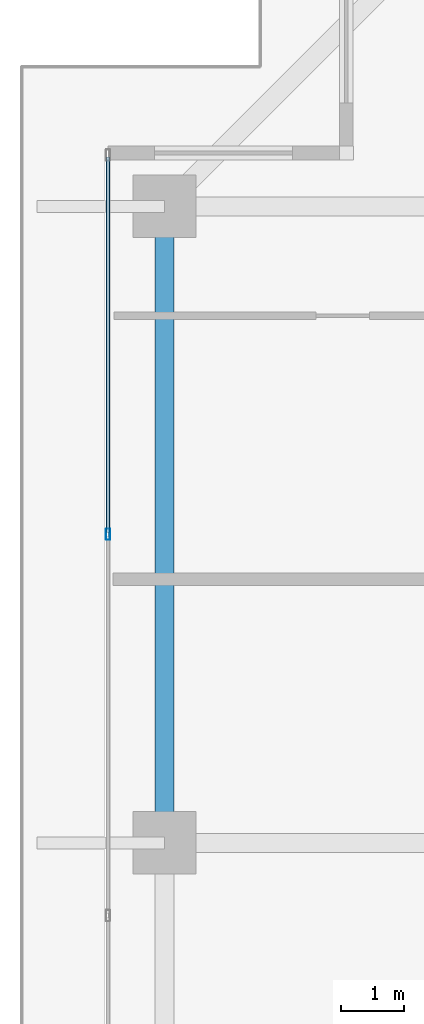
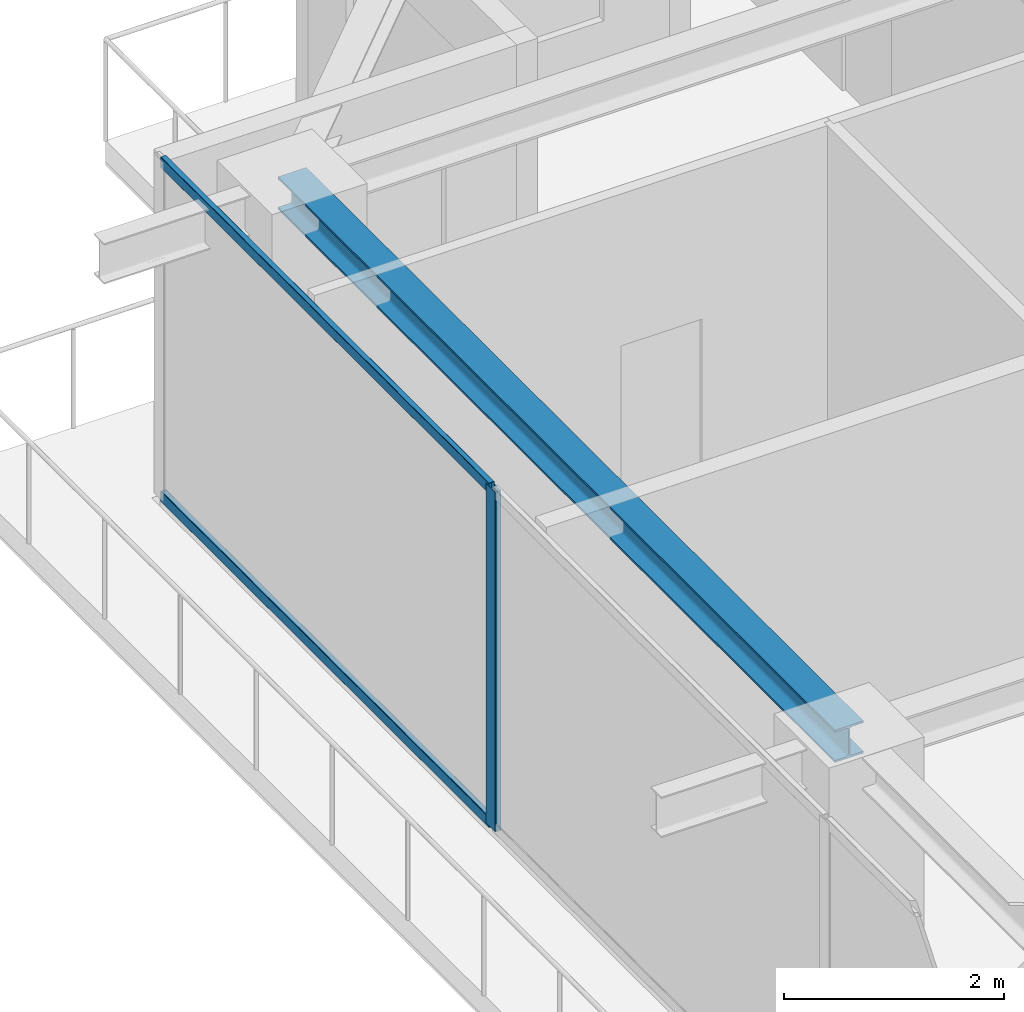
# One storey, part 19 of 42: 3 members, 1 beam, 1 element without a shape of its own.
"""IFC4 building model written with IfcOpenShell, lengths in metres."""

from ifc_helpers import new_model, si_unit, direction, frame, origin, origin_2d, place, context, subcontext, project, spatial, hollow_rectangle, i_section, extrude, source, transform, mapped, material, layer, layer_set, material_profile, profile_set, type_object, element, aggregate, save


model = new_model("IFC4")

# Units and contexts
model_context = context("Model", 3, precision=1e-05, world=origin(), true_north=direction((0.0, 1.0)))
body_context = subcontext(model_context, "Body", "Model", "MODEL_VIEW")
ifc_project = project(units=[si_unit("LENGTHUNIT", "METRE"), si_unit("AREAUNIT", "SQUARE_METRE"), si_unit("VOLUMEUNIT", "CUBIC_METRE"), si_unit("PLANEANGLEUNIT", "RADIAN"), si_unit("MASSUNIT", "GRAM", prefix="KILO")], contexts=[model_context])

# Site, building, storey
site_placement = place(None, origin())
site = spatial("IfcSite", under=ifc_project, at=site_placement, CompositionType="ELEMENT")
building_placement = place(site_placement, origin())
building = spatial("IfcBuilding", under=site, at=building_placement, Name="Serunith Strait Residences", CompositionType="ELEMENT")
storey_placement = place(building_placement, frame((0.0, 0.0, 325.85009765625)))
storey = spatial("IfcBuildingStorey", under=building, at=storey_placement, Name="L81", CompositionType="ELEMENT", Elevation=325.85009765625)

# Beam
ifc_material_1 = material(Name="Steel S355J2", Category="steel")
ifc_material_profile_1 = material_profile(ifc_material_1, i_section(OverallWidth=0.300048828125, OverallDepth=0.360107421875, WebThickness=0.012451171875, FlangeThickness=0.0224609375, FilletRadius=0.027099609375, at=origin_2d()), Name="HEB 360")
ifc_profile_set_1 = profile_set([ifc_material_profile_1], Name="Steel S355J2")
beam_type = type_object("IfcBeamType", Name="BM-HEB360", PredefinedType="BEAM", material=ifc_profile_set_1)
shared_shape_1 = source(origin(), body_context, "Body", "SweptSolid", [
    extrude(i_section(OverallWidth=0.300048828125, OverallDepth=0.360107421875, WebThickness=0.012451171875, FlangeThickness=0.0224609375, FilletRadius=0.027099609375, at=origin_2d()), origin(), (0.0, 0.0, 1.0), 10.150146484375),
])
beam_placement = place(storey_placement, frame((10.10009765625, 39.550048828125, 3.60693359375), z_axis=(0.0, -1.0, 0.0), x_axis=(1.0, 0.0, 0.0)))
element("IfcBeam", 1, at=beam_placement, inside=storey, type_object=beam_type, Name="L81 Perimeter Ring Beam 13", PredefinedType="BEAM", context=body_context, shape_type="MappedRepresentation", body=[
    mapped(shared_shape_1, transform((0.0, 0.0, 0.0), scale=1.0)),
])

# Curtain wall, members
ifc_material_2 = material(Name="Brushed Stainless-Silver Aluminium", Category="aluminium")
ifc_layer = layer(ifc_material_2, 0.199951171875, Name="Brushed Stainless-Silver Aluminium")
ifc_layer_set = layer_set([ifc_layer], Name="Brushed Stainless-Silver Aluminium")
curtain_wall_type = type_object("IfcCurtainWallType", Name="CW-SYS5", PredefinedType="NOTDEFINED", material=ifc_layer_set)
curtain_wall_placement = place(storey_placement, origin())
curtain_wall = element("IfcCurtainWall", 2, at=curtain_wall_placement, inside=storey, type_object=curtain_wall_type, Name="L81 W Unitised Fritted Curtain Wall", PredefinedType="NOTDEFINED")
ifc_material_profile_2 = material_profile(ifc_material_2, hollow_rectangle(XDim=0.06005859375, YDim=0.1201171875, WallThickness=0.00341796875, InnerFilletRadius=0.00537109375, OuterFilletRadius=0.0087890625, at=origin_2d()), Name="ALU 120x60x3.5")
ifc_profile_set_2 = profile_set([ifc_material_profile_2], Name="Brushed Stainless-Silver Aluminium")
member_type_1 = type_object("IfcMemberType", Name="CW-SYS5-TRAN", PredefinedType="USERDEFINED", material=ifc_profile_set_2)
shared_shape_2 = source(origin(), body_context, "Body", "SweptSolid", [
    extrude(hollow_rectangle(XDim=0.06005859375, YDim=0.1201171875, WallThickness=0.00341796875, InnerFilletRadius=0.00537109375, OuterFilletRadius=0.0087890625, at=origin_2d()), origin(), (0.0, 0.0, 1.0), 5.982421875),
])
member_1_placement = place(storey_placement, frame((9.199951171875, 40.3349609375, 0.02978515625), z_axis=(0.0, -1.0, 0.0), x_axis=(1.0, 0.0, 0.0)))
member_1 = element("IfcMember", 3, at=member_1_placement, type_object=member_type_1, Name="CW-5 transom 1.1", ObjectType="TRANSOM", PredefinedType="USERDEFINED", context=body_context, shape_type="MappedRepresentation", body=[
    mapped(shared_shape_2, transform((0.0, 0.0, 0.0), scale=1.0)),
])
member_2_placement = place(storey_placement, frame((9.199951171875, 40.3349609375, 3.744873046875), z_axis=(0.0, -1.0, 0.0), x_axis=(1.0, 0.0, 0.0)))
member_2 = element("IfcMember", 4, at=member_2_placement, type_object=member_type_1, Name="CW-5 transom 1.2", ObjectType="TRANSOM", PredefinedType="USERDEFINED", context=body_context, shape_type="MappedRepresentation", body=[
    mapped(shared_shape_2, transform((0.0, 0.0, 0.0), scale=1.0)),
])
ifc_material_profile_3 = material_profile(ifc_material_2, hollow_rectangle(XDim=0.06494140625, YDim=0.179931640625, WallThickness=0.00341796875, InnerFilletRadius=0.00537109375, OuterFilletRadius=0.0087890625, at=origin_2d()), Name="ALU 180x65x3.5")
ifc_profile_set_3 = profile_set([ifc_material_profile_3], Name="Brushed Stainless-Silver Aluminium")
member_type_2 = type_object("IfcMemberType", Name="CW-SYS5-MULL", PredefinedType="MULLION", material=ifc_profile_set_3)
shared_shape_3 = source(origin(), body_context, "Body", "SweptSolid", [
    extrude(hollow_rectangle(XDim=0.06494140625, YDim=0.179931640625, WallThickness=0.00341796875, InnerFilletRadius=0.00537109375, OuterFilletRadius=0.0087890625, at=origin_2d()), origin(), (0.0, 0.0, 1.0), 3.77490234375),
])
member_3_placement = place(storey_placement, frame((9.199951171875, 34.320068359375, 0.0), z_axis=(0.0, 0.0, 1.0), x_axis=(1.0, 0.0, 0.0)))
member_3 = element("IfcMember", 5, at=member_3_placement, type_object=member_type_2, Name="CW-5 mullion 2", PredefinedType="MULLION", context=body_context, shape_type="MappedRepresentation", body=[
    mapped(shared_shape_3, transform((0.0, 0.0, 0.0), scale=1.0)),
])
aggregate(curtain_wall, [member_3, member_1, member_2])

save(model, "model.ifc")
